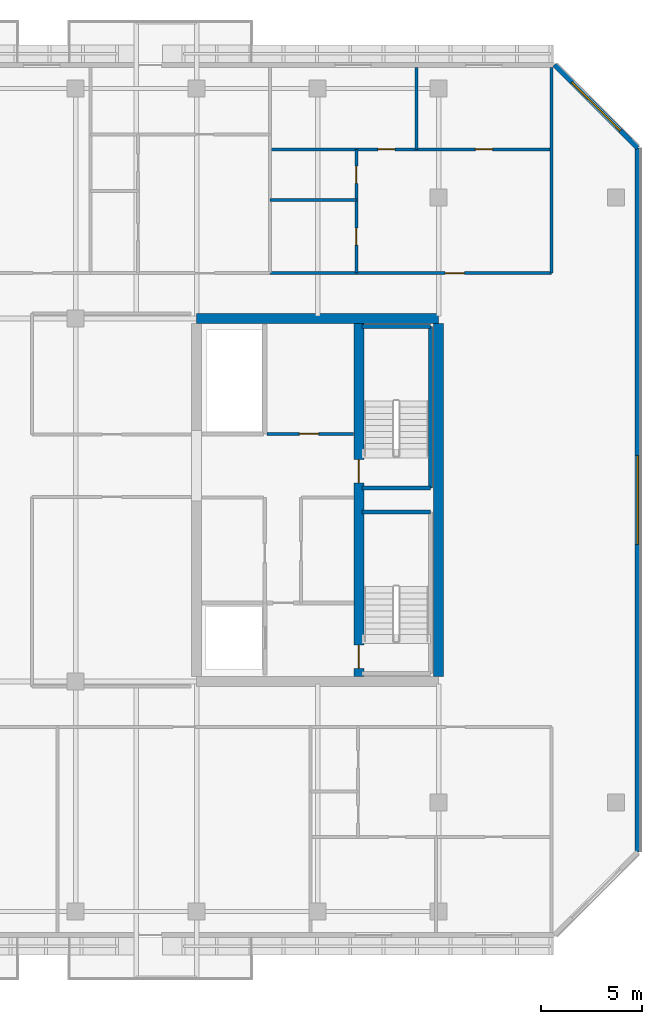
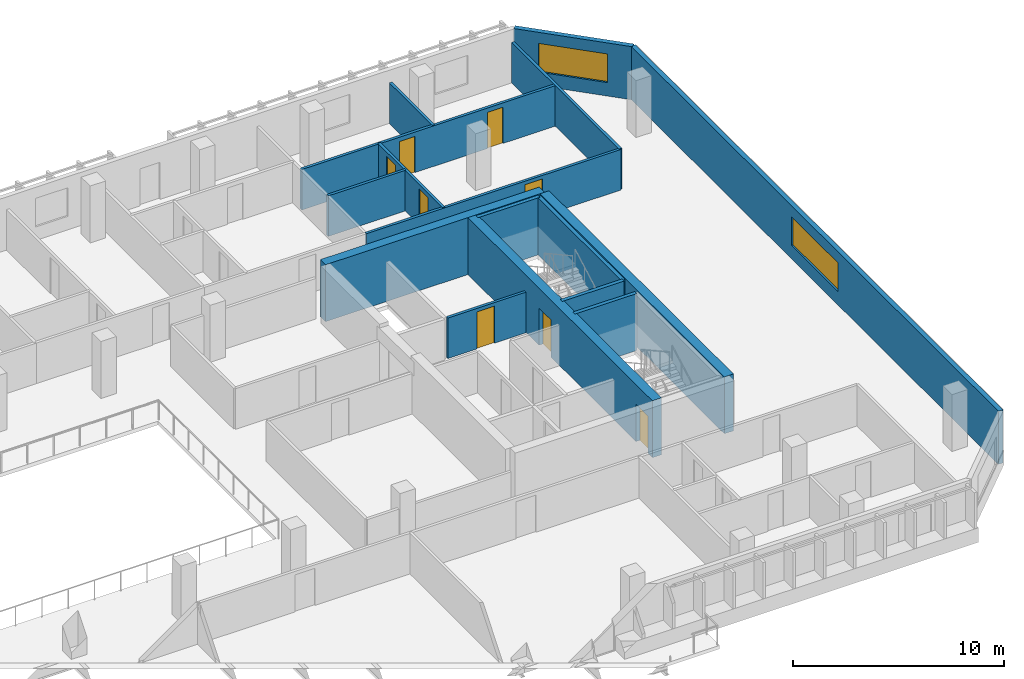
# One storey, part 13 of 19: 16 walls, 8 doors, 2 windows, 10 openings.
"""IFC4 building model written with IfcOpenShell, lengths in metres."""

from ifc_helpers import new_model, si_unit, direction, frame, frame_2d, origin, place, context, subcontext, project, spatial, rectangle, extrude, material, layer, layer_set, type_object, element, fill, save


model = new_model("IFC4")

# Units and contexts
model_context = context("Model", 3, precision=1e-05, world=origin(), true_north=direction((0.0, 1.0)))
body_context = subcontext(model_context, "Body", "Model", "MODEL_VIEW")
ifc_project = project(units=[si_unit("LENGTHUNIT", "METRE"), si_unit("AREAUNIT", "SQUARE_METRE"), si_unit("VOLUMEUNIT", "CUBIC_METRE"), si_unit("PLANEANGLEUNIT", "RADIAN"), si_unit("MASSUNIT", "GRAM", prefix="KILO")], contexts=[model_context])

# Site, building, storey
site_placement = place(None, origin())
site = spatial("IfcSite", under=ifc_project, at=site_placement, CompositionType="ELEMENT")
building_placement = place(site_placement, origin())
building = spatial("IfcBuilding", under=site, at=building_placement, Name="Tanjung Sevakor Pilgrim Tower", CompositionType="ELEMENT")
storey_placement = place(building_placement, frame((0.0, 0.0, 155.10009765625)))
storey = spatial("IfcBuildingStorey", under=building, at=storey_placement, Name="L43", CompositionType="ELEMENT", Elevation=155.10009765625)

# Walls
ifc_material_1 = material(Name="Concrete C60/75", Category="concrete")
ifc_layer_1 = layer(ifc_material_1, 0.5)
ifc_layer_set_1 = layer_set([ifc_layer_1], Name="WALL-CW-500")
wall_type_1 = type_object("IfcWallType", Name="WALL-CW-500", PredefinedType="SHEAR", material=ifc_layer_set_1)
wall_1_placement = place(storey_placement, frame((90.0, 42.60009765625, 0.0), z_axis=(0.0, 0.0, 1.0), x_axis=(-1.0, 0.0, 0.0)))
element("IfcWall", 1, at=wall_1_placement, inside=storey, type_object=wall_type_1, Name="L43 E Core North Shear Wall", PredefinedType="SHEAR", context=body_context, shape_type="SweptSolid", body=[
    extrude(rectangle(XDim=12.0, YDim=0.5, at=frame_2d((6.0, 0.0))), origin(), (0.0, 0.0, 1.0), 3.2998046875),
])
wall_2_placement = place(storey_placement, frame((90.0, 24.85009765625, 0.0), z_axis=(0.0, 0.0, 1.0), x_axis=(0.0, 1.0, 0.0)))
element("IfcWall", 2, at=wall_2_placement, inside=storey, type_object=wall_type_1, Name="L43 E Core Outer Shear Wall", PredefinedType="SHEAR", context=body_context, shape_type="SweptSolid", body=[
    extrude(rectangle(XDim=17.5, YDim=0.5, at=frame_2d((8.75, 0.0))), origin(), (0.0, 0.0, 1.0), 3.2998046875),
])

# Wall, openings, doors
wall_3_placement = place(storey_placement, frame((86.050048828125, 24.85009765625, 0.0), z_axis=(0.0, 0.0, 1.0), x_axis=(0.0, 1.0, 0.0)))
wall_3 = element("IfcWall", 3, at=wall_3_placement, inside=storey, type_object=wall_type_1, Name="L43 E Core Stair Spine Wall", PredefinedType="SHEAR", context=body_context, shape_type="SweptSolid", body=[
    extrude(rectangle(XDim=17.5, YDim=0.5, at=frame_2d((8.75, 0.0))), origin(), (0.0, 0.0, 1.0), 3.2998046875),
])
opening_1_placement = place(wall_3_placement, frame((0.39990234375, 0.0, 0.0)))
opening_1 = element("IfcOpeningElement", 4, at=opening_1_placement, cuts=wall_3, Name="Opening ID-ST1", PredefinedType="OPENING", context=body_context, shape_type="SweptSolid", body=[
    extrude(rectangle(XDim=1.14990234375, YDim=2.14990234375, at=frame_2d((0.574951171875, 1.074951171875))), frame((0.0, 0.260009765625, 0.0), z_axis=(0.0, -1.0, 0.0), x_axis=(1.0, 0.0, 0.0)), (0.0, 0.0, 1.0), 0.52001953125),
])
opening_2_placement = place(wall_3_placement, frame((9.60009765625, 0.0, 0.0)))
opening_2 = element("IfcOpeningElement", 5, at=opening_2_placement, cuts=wall_3, Name="Opening ID-ST1", PredefinedType="OPENING", context=body_context, shape_type="SweptSolid", body=[
    extrude(rectangle(XDim=1.14990234375, YDim=2.14990234375, at=frame_2d((0.574951171875, 1.074951171875))), frame((0.0, 0.260009765625, 0.0), z_axis=(0.0, -1.0, 0.0), x_axis=(1.0, 0.0, 0.0)), (0.0, 0.0, 1.0), 0.52001953125),
])
ifc_material_2 = material(Name="Fire-Rated Steel S355J2", Category="steel")
door_type_1 = type_object("IfcDoorType", Name="DT-FIRE-1150", OperationType="NOTDEFINED", PredefinedType="DOOR", material=ifc_material_2)
door_1_placement = place(opening_1_placement, origin())
door_1 = element("IfcDoor", 6, at=door_1_placement, inside=storey, type_object=door_type_1, Name="L43 TS-E1 Stair Fire Door", OperationType="SINGLE_SWING_RIGHT", OverallHeight=2.14990234375, OverallWidth=1.14990234375, PredefinedType="DOOR", context=body_context, shape_type="SweptSolid", body=[
    extrude(rectangle(XDim=1.14990234375, YDim=2.14990234375, at=frame_2d((0.574951171875, 1.074951171875))), frame((0.0, 0.02490234375, 0.0), z_axis=(0.0, -1.0, 0.0), x_axis=(1.0, 0.0, 0.0)), (0.0, 0.0, 1.0), 0.050048828125),
])
fill(opening_1, door_1)
door_2_placement = place(opening_2_placement, origin())
door_2 = element("IfcDoor", 7, at=door_2_placement, inside=storey, type_object=door_type_1, Name="L43 TS-E2 Stair Fire Door", OperationType="SINGLE_SWING_LEFT", OverallHeight=2.14990234375, OverallWidth=1.14990234375, PredefinedType="DOOR", context=body_context, shape_type="SweptSolid", body=[
    extrude(rectangle(XDim=1.14990234375, YDim=2.14990234375, at=frame_2d((0.574951171875, 1.074951171875))), frame((0.0, 0.02490234375, 0.0), z_axis=(0.0, -1.0, 0.0), x_axis=(1.0, 0.0, 0.0)), (0.0, 0.0, 1.0), 0.050048828125),
])
fill(opening_2, door_2)

# Wall, opening, door
ifc_material_3 = material(Name="Concrete C40/50", Category="concrete")
ifc_layer_2 = layer(ifc_material_3, 0.14990234375)
ifc_layer_set_2 = layer_set([ifc_layer_2], Name="WT-COMP-150")
wall_type_2 = type_object("IfcWallType", Name="WT-COMP-150", PredefinedType="SOLIDWALL", material=ifc_layer_set_2)
wall_4_placement = place(storey_placement, frame((81.5, 36.8798828125, 0.0), z_axis=(0.0, 0.0, 1.0), x_axis=(1.0, 0.0, 0.0)))
wall_4 = element("IfcWall", 8, at=wall_4_placement, inside=storey, type_object=wall_type_2, Name="L43 Partition IW-L43-016", PredefinedType="SOLIDWALL", context=body_context, shape_type="SweptSolid", body=[
    extrude(rectangle(XDim=4.280029296875, YDim=0.14990234375, at=frame_2d((2.14013671875, 0.0))), origin(), (0.0, 0.0, 1.0), 2.35009765625),
])
opening_3_placement = place(wall_4_placement, frame((1.60009765625, 0.0, 0.0)))
opening_3 = element("IfcOpeningElement", 9, at=opening_3_placement, cuts=wall_4, Name="Opening ID-FD2", PredefinedType="OPENING", context=body_context, shape_type="SweptSolid", body=[
    extrude(rectangle(XDim=0.949951171875, YDim=2.14990234375, at=frame_2d((0.47509765625, 1.074951171875))), frame((0.0, 0.0849609375, 0.0), z_axis=(0.0, -1.0, 0.0), x_axis=(1.0, 0.0, 0.0)), (0.0, 0.0, 1.0), 0.169921875),
])
ifc_material_4 = material(Name="Fire-Rated Timber", Category="wood")
door_type_2 = type_object("IfcDoorType", Name="DT-FIRE-950", OperationType="NOTDEFINED", PredefinedType="DOOR", material=ifc_material_4)
door_3_placement = place(opening_3_placement, origin())
door_3 = element("IfcDoor", 10, at=door_3_placement, inside=storey, type_object=door_type_2, Name="L43 Core Prayer Room Door", OperationType="SINGLE_SWING_LEFT", OverallHeight=2.14990234375, OverallWidth=0.949951171875, PredefinedType="DOOR", context=body_context, shape_type="SweptSolid", body=[
    extrude(rectangle(XDim=0.949951171875, YDim=2.14990234375, at=frame_2d((0.47509765625, 1.074951171875))), frame((0.0, 0.02490234375, 0.0), z_axis=(0.0, -1.0, 0.0), x_axis=(1.0, 0.0, 0.0)), (0.0, 0.0, 1.0), 0.050048828125),
])
fill(opening_3, door_3)

# Wall
wall_5_placement = place(storey_placement, frame((95.60009765625, 44.85009765625, 0.0), z_axis=(0.0, 0.0, 1.0), x_axis=(0.0, 1.0, 0.0)))
element("IfcWall", 11, at=wall_5_placement, inside=storey, type_object=wall_type_2, Name="L43 Partition IW-L43-067", PredefinedType="SOLIDWALL", context=body_context, shape_type="SweptSolid", body=[
    extrude(rectangle(XDim=10.199951171875, YDim=0.14990234375, at=frame_2d((5.10009765625, 0.0))), origin(), (0.0, 0.0, 1.0), 2.35009765625),
])

# Wall, opening, door
wall_6_placement = place(storey_placement, frame((81.635498046875, 44.85009765625, 0.0), z_axis=(0.0, 0.0, 1.0), x_axis=(1.0, 0.0, 0.0)))
wall_6 = element("IfcWall", 12, at=wall_6_placement, inside=storey, type_object=wall_type_2, Name="L43 Partition IW-L43-083", PredefinedType="SOLIDWALL", context=body_context, shape_type="SweptSolid", body=[
    extrude(rectangle(XDim=13.964599609375, YDim=0.14990234375, at=frame_2d((6.982421875, 0.0))), origin(), (0.0, 0.0, 1.0), 2.35009765625),
])
opening_4_placement = place(wall_6_placement, frame((8.689453125, 0.0, 0.0)))
opening_4 = element("IfcOpeningElement", 13, at=opening_4_placement, cuts=wall_6, Name="Opening ID-FD2", PredefinedType="OPENING", context=body_context, shape_type="SweptSolid", body=[
    extrude(rectangle(XDim=0.949951171875, YDim=2.14990234375, at=frame_2d((0.47509765625, 1.074951171875))), frame((0.0, 0.0849609375, 0.0), z_axis=(0.0, -1.0, 0.0), x_axis=(1.0, 0.0, 0.0)), (0.0, 0.0, 1.0), 0.169921875),
])
door_4_placement = place(opening_4_placement, origin())
door_4 = element("IfcDoor", 14, at=door_4_placement, inside=storey, type_object=door_type_2, Name="Suite Entrance", OperationType="SINGLE_SWING_LEFT", OverallHeight=2.14990234375, OverallWidth=0.949951171875, PredefinedType="DOOR", context=body_context, shape_type="SweptSolid", body=[
    extrude(rectangle(XDim=0.949951171875, YDim=2.14990234375, at=frame_2d((0.47509765625, 1.074951171875))), frame((0.0, 0.02490234375, 0.0), z_axis=(0.0, -1.0, 0.0), x_axis=(1.0, 0.0, 0.0)), (0.0, 0.0, 1.0), 0.050048828125),
])
fill(opening_4, door_4)

# Wall, opening, window
ifc_material_5 = material(Name="Precast concrete C45/55", Category="concrete")
ifc_layer_3 = layer(ifc_material_5, 0.25)
ifc_layer_set_3 = layer_set([ifc_layer_3], Name="WT-EW-STN3")
wall_type_3 = type_object("IfcWallType", Name="WT-EW-STN3", PredefinedType="SOLIDWALL", material=ifc_layer_set_3)
wall_7_placement = place(storey_placement, frame((99.875, 16.15185546875, 0.0), z_axis=(0.0, 0.0, 1.0), x_axis=(0.0, 1.0, 0.0)))
wall_7 = element("IfcWall", 15, at=wall_7_placement, inside=storey, type_object=wall_type_3, Name="L43 MAIN Exterior Wall 7", PredefinedType="SOLIDWALL", context=body_context, shape_type="SweptSolid", body=[
    extrude(rectangle(XDim=34.896240234375, YDim=0.25, at=frame_2d((17.4482421875, 0.0))), origin(), (0.0, 0.0, 1.0), 3.080078125),
])
opening_5_placement = place(wall_7_placement, frame((15.248291015625, 0.0, 0.780029296875)))
opening_5 = element("IfcOpeningElement", 16, at=opening_5_placement, cuts=wall_7, Name="Opening WN-ENDW-1660", PredefinedType="OPENING", context=body_context, shape_type="SweptSolid", body=[
    extrude(rectangle(XDim=4.39990234375, YDim=1.659912109375, at=frame_2d((2.199951171875, 0.830078125))), frame((0.0, 0.135009765625, 0.0), z_axis=(0.0, -1.0, 0.0), x_axis=(1.0, 0.0, 0.0)), (0.0, 0.0, 1.0), 0.27001953125),
])
ifc_material_6 = material(Name="Thermally Broken Aluminium and Low-E Glass", Category="aluminium")
window_type_1 = type_object("IfcWindowType", Name="WTYP-WN-ENDW-1660", PartitioningType="DOUBLE_PANEL_VERTICAL", PredefinedType="WINDOW", material=ifc_material_6)
window_1_placement = place(opening_5_placement, origin())
window_1 = element("IfcWindow", 17, at=window_1_placement, inside=storey, type_object=window_type_1, Name="L43 Facade Window 01", OverallHeight=1.659912109375, OverallWidth=4.39990234375, PartitioningType="SINGLE_PANEL", PredefinedType="WINDOW", context=body_context, shape_type="SweptSolid", body=[
    extrude(rectangle(XDim=4.39990234375, YDim=1.659912109375, at=frame_2d((2.199951171875, 0.830078125))), frame((0.0, 0.030029296875, 0.0), z_axis=(0.0, -1.0, 0.0), x_axis=(1.0, 0.0, 0.0)), (0.0, 0.0, 1.0), 0.06005859375),
])
fill(opening_5, window_1)

wall_8_placement = place(storey_placement, frame((99.875, 51.048095703125, 0.0), z_axis=(0.0, 0.0, 1.0), x_axis=(-0.70708586489, 0.707127696864, 0.0)))
wall_8 = element("IfcWall", 18, at=wall_8_placement, inside=storey, type_object=wall_type_3, Name="L43 MAIN Sculpted Corner Wall 7", PredefinedType="SOLIDWALL", context=body_context, shape_type="SweptSolid", body=[
    extrude(rectangle(XDim=5.836181640625, YDim=0.25, at=frame_2d((2.91796875, 0.0))), origin(), (0.0, 0.0, 1.0), 3.080078125),
])
opening_6_placement = place(wall_8_placement, frame((1.218017578125, 0.0, 0.780029296875)))
opening_6 = element("IfcOpeningElement", 19, at=opening_6_placement, cuts=wall_8, Name="Opening WN-CHM-1660", PredefinedType="OPENING", context=body_context, shape_type="SweptSolid", body=[
    extrude(rectangle(XDim=3.39990234375, YDim=1.659912109375, at=frame_2d((1.699951171875, 0.830078125))), frame((0.0, 0.135009765625, 0.0), z_axis=(0.0, -1.0, 0.0), x_axis=(1.0, 0.0, 0.0)), (0.0, 0.0, 1.0), 0.27001953125),
])
ifc_material_7 = material(Name="Thermally Broken Aluminium and Low-E Glass", Category="aluminium")
window_type_2 = type_object("IfcWindowType", Name="WTYP-WN-CHM-1660", PartitioningType="DOUBLE_PANEL_VERTICAL", PredefinedType="WINDOW", material=ifc_material_7)
window_2_placement = place(opening_6_placement, origin())
window_2 = element("IfcWindow", 20, at=window_2_placement, inside=storey, type_object=window_type_2, Name="L43 Facade Window 01", OverallHeight=1.659912109375, OverallWidth=3.39990234375, PartitioningType="SINGLE_PANEL", PredefinedType="WINDOW", context=body_context, shape_type="SweptSolid", body=[
    extrude(rectangle(XDim=3.39990234375, YDim=1.659912109375, at=frame_2d((1.699951171875, 0.830078125))), frame((0.0, 0.030029296875, 0.0), z_axis=(0.0, -1.0, 0.0), x_axis=(1.0, 0.0, 0.0)), (0.0, 0.0, 1.0), 0.06005859375),
])
fill(opening_6, window_2)

# Walls
ifc_material_8 = material(Name="Concrete C40/50", Category="concrete")
ifc_layer_4 = layer(ifc_material_8, 0.199951171875)
ifc_layer_set_4 = layer_set([ifc_layer_4], Name="WT-FIRE-200")
wall_type_4 = type_object("IfcWallType", Name="WT-FIRE-200", PredefinedType="SOLIDWALL", material=ifc_layer_set_4)
for number, where, z_axis, x_axis, name in (
    (21, (89.60009765625, 33.0, 0.0), (0.0, 0.0, 1.0), (-1.0, 0.0, 0.0), "L43 TS-E1 Shaft Wall 3"),
    (22, (86.199951171875, 34.199951171875, 0.0), (0.0, 0.0, 1.0), (1.0, 0.0, 0.0), "L43 TS-E2 Shaft Wall 1"),
):
    element("IfcWall", number, at=place(storey_placement, frame(where, z_axis=z_axis, x_axis=x_axis)), inside=storey, type_object=wall_type_4, Name=name, PredefinedType="SOLIDWALL", context=body_context, shape_type="SweptSolid", body=[
        extrude(rectangle(XDim=3.400146484375, YDim=0.199951171875, at=frame_2d((1.7001953125, 0.0))), origin(), (0.0, 0.0, 1.0), 3.2998046875),
    ])
wall_9_placement = place(storey_placement, frame((89.60009765625, 34.199951171875, 0.0), z_axis=(0.0, 0.0, 1.0), x_axis=(0.0, 1.0, 0.0)))
element("IfcWall", 23, at=wall_9_placement, inside=storey, type_object=wall_type_4, Name="L43 TS-E2 Shaft Wall 2", PredefinedType="SOLIDWALL", context=body_context, shape_type="SweptSolid", body=[
    extrude(rectangle(XDim=8.0, YDim=0.199951171875, at=frame_2d((4.0, 0.0))), origin(), (0.0, 0.0, 1.0), 3.2998046875),
])
wall_10_placement = place(storey_placement, frame((89.60009765625, 42.199951171875, 0.0), z_axis=(0.0, 0.0, 1.0), x_axis=(-1.0, 0.0, 0.0)))
element("IfcWall", 24, at=wall_10_placement, inside=storey, type_object=wall_type_4, Name="L43 TS-E2 Shaft Wall 3", PredefinedType="SOLIDWALL", context=body_context, shape_type="SweptSolid", body=[
    extrude(rectangle(XDim=3.400146484375, YDim=0.199951171875, at=frame_2d((1.7001953125, 0.0))), origin(), (0.0, 0.0, 1.0), 3.2998046875),
])
ifc_material_9 = material(Name="Gypsum Board Partition", Category="gypsum board")
ifc_layer_5 = layer(ifc_material_9, 0.14990234375)
ifc_layer_set_5 = layer_set([ifc_layer_5], Name="WT-PART-150")
wall_type_5 = type_object("IfcWallType", Name="WT-PART-150", PredefinedType="PARTITIONING", material=ifc_layer_set_5)
wall_11_placement = place(storey_placement, frame((81.635498046875, 48.47119140625, 0.0), z_axis=(0.0, 0.0, 1.0), x_axis=(1.0, 0.0, 0.0)))
element("IfcWall", 25, at=wall_11_placement, inside=storey, type_object=wall_type_5, Name="L43 Partition IW-L43-079", PredefinedType="PARTITIONING", context=body_context, shape_type="SweptSolid", body=[
    extrude(rectangle(XDim=4.284423828125, YDim=0.14990234375, at=frame_2d((2.14208984375, 0.0))), origin(), (0.0, 0.0, 1.0), 2.35009765625),
])

# Wall, openings, doors
wall_12_placement = place(storey_placement, frame((85.919921875, 44.85009765625, 0.0), z_axis=(0.0, 0.0, 1.0), x_axis=(0.0, 1.0, 0.0)))
wall_12 = element("IfcWall", 26, at=wall_12_placement, inside=storey, type_object=wall_type_5, Name="L43 Partition IW-L43-080", PredefinedType="PARTITIONING", context=body_context, shape_type="SweptSolid", body=[
    extrude(rectangle(XDim=6.137451171875, YDim=0.14990234375, at=frame_2d((3.06884765625, 0.0))), origin(), (0.0, 0.0, 1.0), 2.35009765625),
])
opening_7_placement = place(wall_12_placement, frame((1.385498046875, 0.0, 0.0)))
opening_7 = element("IfcOpeningElement", 27, at=opening_7_placement, cuts=wall_12, Name="Opening ID-WC1", PredefinedType="OPENING", context=body_context, shape_type="SweptSolid", body=[
    extrude(rectangle(XDim=0.85009765625, YDim=2.10009765625, at=frame_2d((0.425048828125, 1.050048828125))), frame((0.0, 0.0849609375, 0.0), z_axis=(0.0, -1.0, 0.0), x_axis=(1.0, 0.0, 0.0)), (0.0, 0.0, 1.0), 0.169921875),
])
opening_8_placement = place(wall_12_placement, frame((4.454345703125, 0.0, 0.0)))
opening_8 = element("IfcOpeningElement", 28, at=opening_8_placement, cuts=wall_12, Name="Opening ID-WC1", PredefinedType="OPENING", context=body_context, shape_type="SweptSolid", body=[
    extrude(rectangle(XDim=0.85009765625, YDim=2.10009765625, at=frame_2d((0.425048828125, 1.050048828125))), frame((0.0, 0.0849609375, 0.0), z_axis=(0.0, -1.0, 0.0), x_axis=(1.0, 0.0, 0.0)), (0.0, 0.0, 1.0), 0.169921875),
])
ifc_material_10 = material(Name="Moisture-Resistant Timber", Category="wood")
door_type_3 = type_object("IfcDoorType", Name="DT-INT-850", OperationType="NOTDEFINED", PredefinedType="DOOR", material=ifc_material_10)
door_5_placement = place(opening_7_placement, origin())
door_5 = element("IfcDoor", 29, at=door_5_placement, inside=storey, type_object=door_type_3, Name="Suite Kitchenette Door", OperationType="SINGLE_SWING_LEFT", OverallHeight=2.10009765625, OverallWidth=0.85009765625, PredefinedType="DOOR", context=body_context, shape_type="SweptSolid", body=[
    extrude(rectangle(XDim=0.85009765625, YDim=2.10009765625, at=frame_2d((0.425048828125, 1.050048828125))), frame((0.0, 0.02490234375, 0.0), z_axis=(0.0, -1.0, 0.0), x_axis=(1.0, 0.0, 0.0)), (0.0, 0.0, 1.0), 0.050048828125),
])
fill(opening_7, door_5)
door_6_placement = place(opening_8_placement, origin())
door_6 = element("IfcDoor", 30, at=door_6_placement, inside=storey, type_object=door_type_3, Name="Suite Bathroom Door", OperationType="SINGLE_SWING_RIGHT", OverallHeight=2.10009765625, OverallWidth=0.85009765625, PredefinedType="DOOR", context=body_context, shape_type="SweptSolid", body=[
    extrude(rectangle(XDim=0.85009765625, YDim=2.10009765625, at=frame_2d((0.425048828125, 1.050048828125))), frame((0.0, 0.02490234375, 0.0), z_axis=(0.0, -1.0, 0.0), x_axis=(1.0, 0.0, 0.0)), (0.0, 0.0, 1.0), 0.050048828125),
])
fill(opening_8, door_6)

# Wall
wall_13_placement = place(storey_placement, frame((88.897216796875, 50.987548828125, 0.0), z_axis=(0.0, 0.0, 1.0), x_axis=(0.0, 1.0, 0.0)))
element("IfcWall", 31, at=wall_13_placement, inside=storey, type_object=wall_type_5, Name="L43 Partition IW-L43-081", PredefinedType="PARTITIONING", context=body_context, shape_type="SweptSolid", body=[
    extrude(rectangle(XDim=4.0625, YDim=0.14990234375, at=frame_2d((2.03125, 0.0))), origin(), (0.0, 0.0, 1.0), 2.35009765625),
])

# Wall, openings, doors
wall_14_placement = place(storey_placement, frame((81.635498046875, 50.987548828125, 0.0), z_axis=(0.0, 0.0, 1.0), x_axis=(1.0, 0.0, 0.0)))
wall_14 = element("IfcWall", 32, at=wall_14_placement, inside=storey, type_object=wall_type_5, Name="L43 Partition IW-L43-082", PredefinedType="PARTITIONING", context=body_context, shape_type="SweptSolid", body=[
    extrude(rectangle(XDim=13.964599609375, YDim=0.14990234375, at=frame_2d((6.982421875, 0.0))), origin(), (0.0, 0.0, 1.0), 2.35009765625),
])
opening_9_placement = place(wall_14_placement, frame((5.347900390625, 0.0, 0.0)))
opening_9 = element("IfcOpeningElement", 33, at=opening_9_placement, cuts=wall_14, Name="Opening ID-WC1", PredefinedType="OPENING", context=body_context, shape_type="SweptSolid", body=[
    extrude(rectangle(XDim=0.85009765625, YDim=2.10009765625, at=frame_2d((0.425048828125, 1.050048828125))), frame((0.0, 0.0849609375, 0.0), z_axis=(0.0, -1.0, 0.0), x_axis=(1.0, 0.0, 0.0)), (0.0, 0.0, 1.0), 0.169921875),
])
opening_10_placement = place(wall_14_placement, frame((10.18798828125, 0.0, 0.0)))
opening_10 = element("IfcOpeningElement", 34, at=opening_10_placement, cuts=wall_14, Name="Opening ID-WC1", PredefinedType="OPENING", context=body_context, shape_type="SweptSolid", body=[
    extrude(rectangle(XDim=0.85009765625, YDim=2.10009765625, at=frame_2d((0.425048828125, 1.050048828125))), frame((0.0, 0.0849609375, 0.0), z_axis=(0.0, -1.0, 0.0), x_axis=(1.0, 0.0, 0.0)), (0.0, 0.0, 1.0), 0.169921875),
])
door_7_placement = place(opening_9_placement, origin())
door_7 = element("IfcDoor", 35, at=door_7_placement, inside=storey, type_object=door_type_3, Name="Suite Bedroom 1 Door", OperationType="SINGLE_SWING_LEFT", OverallHeight=2.10009765625, OverallWidth=0.85009765625, PredefinedType="DOOR", context=body_context, shape_type="SweptSolid", body=[
    extrude(rectangle(XDim=0.85009765625, YDim=2.10009765625, at=frame_2d((0.425048828125, 1.050048828125))), frame((0.0, 0.02490234375, 0.0), z_axis=(0.0, -1.0, 0.0), x_axis=(1.0, 0.0, 0.0)), (0.0, 0.0, 1.0), 0.050048828125),
])
fill(opening_9, door_7)
door_8_placement = place(opening_10_placement, origin())
door_8 = element("IfcDoor", 36, at=door_8_placement, inside=storey, type_object=door_type_3, Name="Suite Bedroom 2 Door", OperationType="SINGLE_SWING_RIGHT", OverallHeight=2.10009765625, OverallWidth=0.85009765625, PredefinedType="DOOR", context=body_context, shape_type="SweptSolid", body=[
    extrude(rectangle(XDim=0.85009765625, YDim=2.10009765625, at=frame_2d((0.425048828125, 1.050048828125))), frame((0.0, 0.02490234375, 0.0), z_axis=(0.0, -1.0, 0.0), x_axis=(1.0, 0.0, 0.0)), (0.0, 0.0, 1.0), 0.050048828125),
])
fill(opening_10, door_8)

save(model, "model.ifc")
